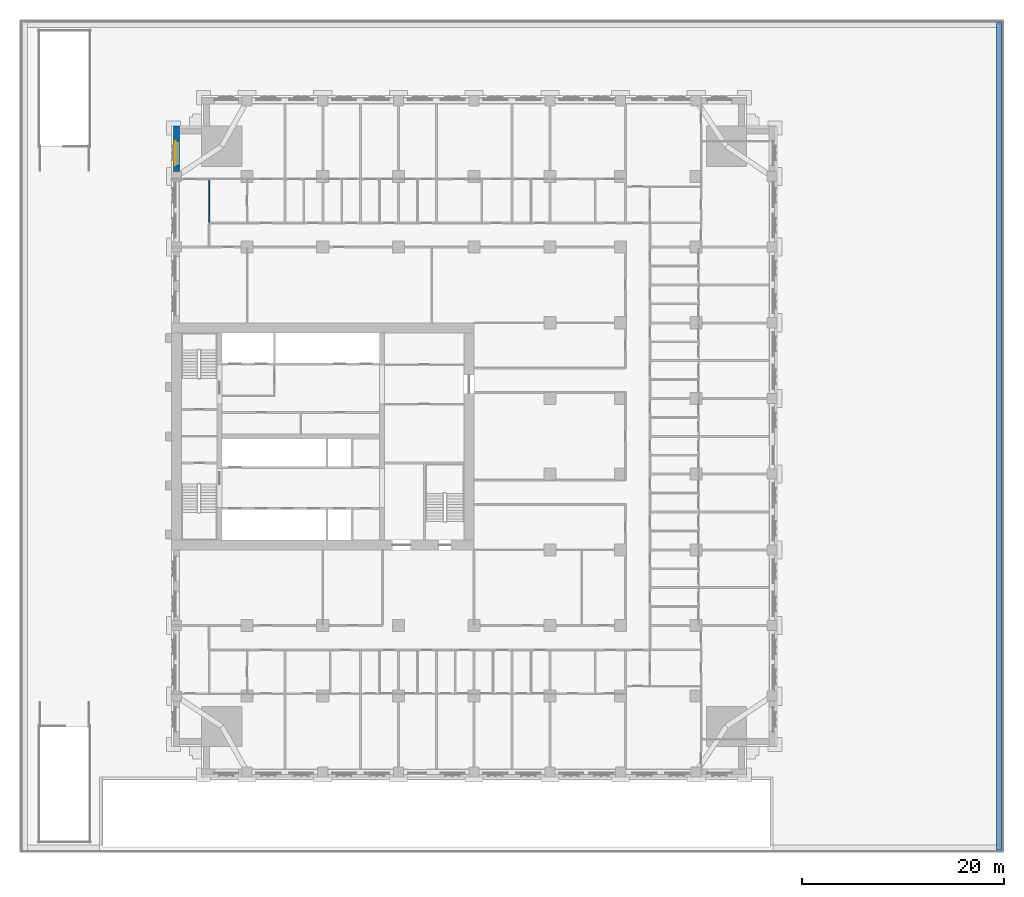
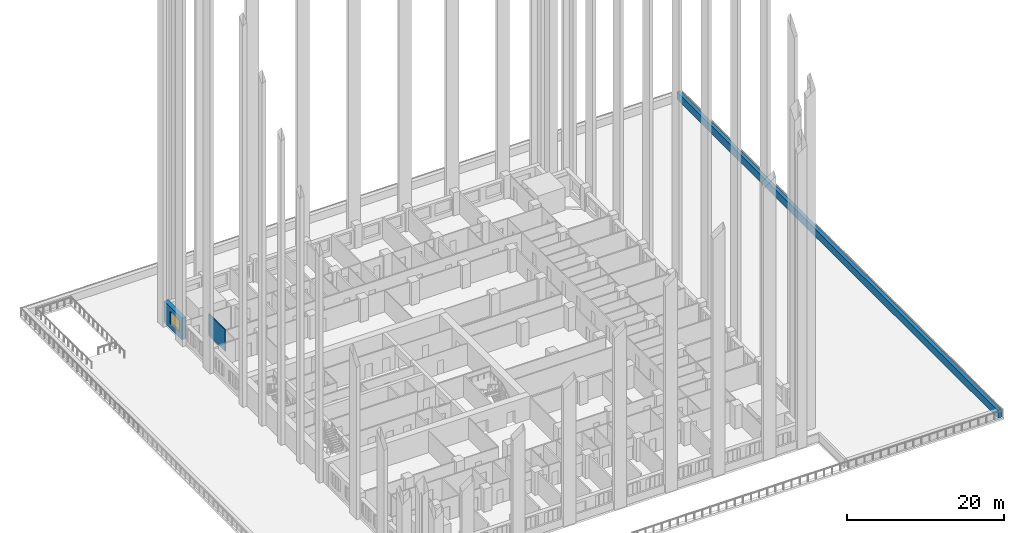
# One storey, part 18 of 27: 3 walls, 1 window, 1 opening.
"""IFC4 building model written with IfcOpenShell, lengths in metres."""

from ifc_helpers import new_model, si_unit, direction, frame, frame_2d, origin, place, context, subcontext, project, spatial, rectangle, extrude, material, layer, layer_set, type_object, element, fill, save


model = new_model("IFC4")

# Units and contexts
model_context = context("Model", 3, precision=1e-05, world=origin(), true_north=direction((0.0, 1.0)))
body_context = subcontext(model_context, "Body", "Model", "MODEL_VIEW")
ifc_project = project(units=[si_unit("LENGTHUNIT", "METRE"), si_unit("AREAUNIT", "SQUARE_METRE"), si_unit("VOLUMEUNIT", "CUBIC_METRE"), si_unit("PLANEANGLEUNIT", "RADIAN"), si_unit("MASSUNIT", "GRAM", prefix="KILO")], contexts=[model_context])

# Site, building, storey
site_placement = place(None, origin())
site = spatial("IfcSite", under=ifc_project, at=site_placement, CompositionType="ELEMENT")
building_placement = place(site_placement, origin())
building = spatial("IfcBuilding", under=site, at=building_placement, Name="Tamorin Gate", CompositionType="ELEMENT")
storey_placement = place(building_placement, frame((0.0, 0.0, 34.0)))
storey = spatial("IfcBuildingStorey", under=building, at=storey_placement, Name="L06", CompositionType="ELEMENT", Elevation=34.0)

# Wall, opening, window
ifc_material_1 = material(Name="Precast concrete C40/50", Category="concrete")
ifc_layer_1 = layer(ifc_material_1, 0.60009765625)
ifc_layer_set_1 = layer_set([ifc_layer_1], Name="Precast concrete C40/50")
wall_type_1 = type_object("IfcWallType", Name="Board-marked concrete facade panel 600", PredefinedType="SOLIDWALL", material=ifc_layer_set_1)
wall_1_placement = place(storey_placement, frame((30.5, 102.0, 0.0), z_axis=(0.0, 0.0, 1.0), x_axis=(0.0, -1.0, 0.0)))
wall_1 = element("IfcWall", 1, at=wall_1_placement, inside=storey, type_object=wall_type_1, Name="Facade panel", PredefinedType="SOLIDWALL", context=body_context, shape_type="SweptSolid", body=[
    extrude(rectangle(XDim=4.5, YDim=0.60009765625, at=frame_2d((2.25, 0.0))), origin(), (0.0, 0.0, 1.0), 3.35009765625),
])
opening_placement = place(wall_1_placement, frame((1.5, 0.0, 0.800048828125)))
opening = element("IfcOpeningElement", 2, at=opening_placement, cuts=wall_1, Name="Opening WN1", PredefinedType="OPENING", context=body_context, shape_type="SweptSolid", body=[
    extrude(rectangle(XDim=2.39990234375, YDim=1.800048828125, at=frame_2d((1.199951171875, 0.89990234375))), frame((0.0, 0.31005859375, 0.0), z_axis=(0.0, -1.0, 0.0), x_axis=(1.0, 0.0, 0.0)), (0.0, 0.0, 1.0), 0.6201171875),
])
ifc_material_2 = material(Name="Clear glass in aluminium frame", Category="aluminium")
window_type = type_object("IfcWindowType", Name="Deep-set window 2400x1800", PartitioningType="SINGLE_PANEL", PredefinedType="WINDOW", material=ifc_material_2)
window_placement = place(opening_placement, origin())
window = element("IfcWindow", 3, at=window_placement, inside=storey, type_object=window_type, Name="Deep-set window", OverallHeight=1.800048828125, OverallWidth=2.39990234375, PartitioningType="SINGLE_PANEL", PredefinedType="WINDOW", context=body_context, shape_type="SweptSolid", body=[
    extrude(rectangle(XDim=2.39990234375, YDim=1.800048828125, at=frame_2d((1.199951171875, 0.89990234375))), frame((0.0, -0.070068359375, 0.0), z_axis=(0.0, -1.0, 0.0), x_axis=(1.0, 0.0, 0.0)), (0.0, 0.0, 1.0), 0.06005859375),
])
fill(opening, window)

# Walls
ifc_layer_2 = layer(ifc_material_1, 0.5)
ifc_layer_set_2 = layer_set([ifc_layer_2], Name="Precast concrete C40/50")
wall_type_2 = type_object("IfcWallType", Name="Precast roof parapet 500", PredefinedType="PARAPET", material=ifc_layer_set_2)
wall_2_placement = place(storey_placement, frame((112.0, 112.25, 0.0), z_axis=(0.0, 0.0, 1.0), x_axis=(0.0, -1.0, 0.0)))
element("IfcWall", 4, at=wall_2_placement, inside=storey, type_object=wall_type_2, Name="Roof parapet", PredefinedType="PARAPET", context=body_context, shape_type="SweptSolid", body=[
    extrude(rectangle(XDim=82.0, YDim=0.5, at=frame_2d((41.0, 0.0))), origin(), (0.0, 0.0, 1.0), 1.199951171875),
])
ifc_material_3 = material(Name="Gypsum board partition")
ifc_layer_3 = layer(ifc_material_3, 0.125)
ifc_layer_set_3 = layer_set([ifc_layer_3], Name="Wet wall 125")
wall_type_3 = type_object("IfcWallType", Name="Wet wall 125", PredefinedType="PARTITIONING", material=ifc_layer_set_3)
wall_3_placement = place(storey_placement, frame((33.75, 92.47509765625, 0.0), z_axis=(0.0, 0.0, 1.0), x_axis=(0.0, 1.0, 0.0)))
element("IfcWall", 5, at=wall_3_placement, inside=storey, type_object=wall_type_3, Name="Wet wall 125", PredefinedType="PARTITIONING", context=body_context, shape_type="SweptSolid", body=[
    extrude(rectangle(XDim=4.21240234375, YDim=0.125, at=frame_2d((2.106201171875, 0.0))), origin(), (0.0, 0.0, 1.0), 3.35009765625),
])

save(model, "model.ifc")
